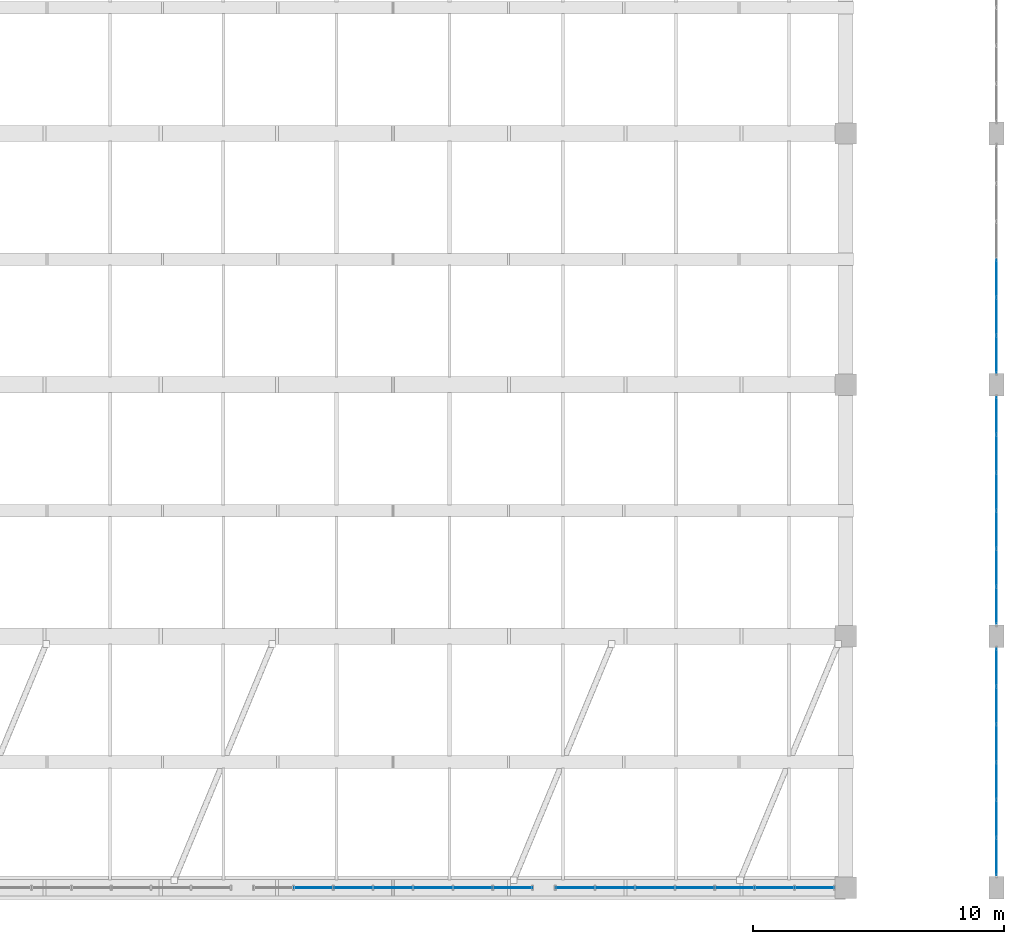
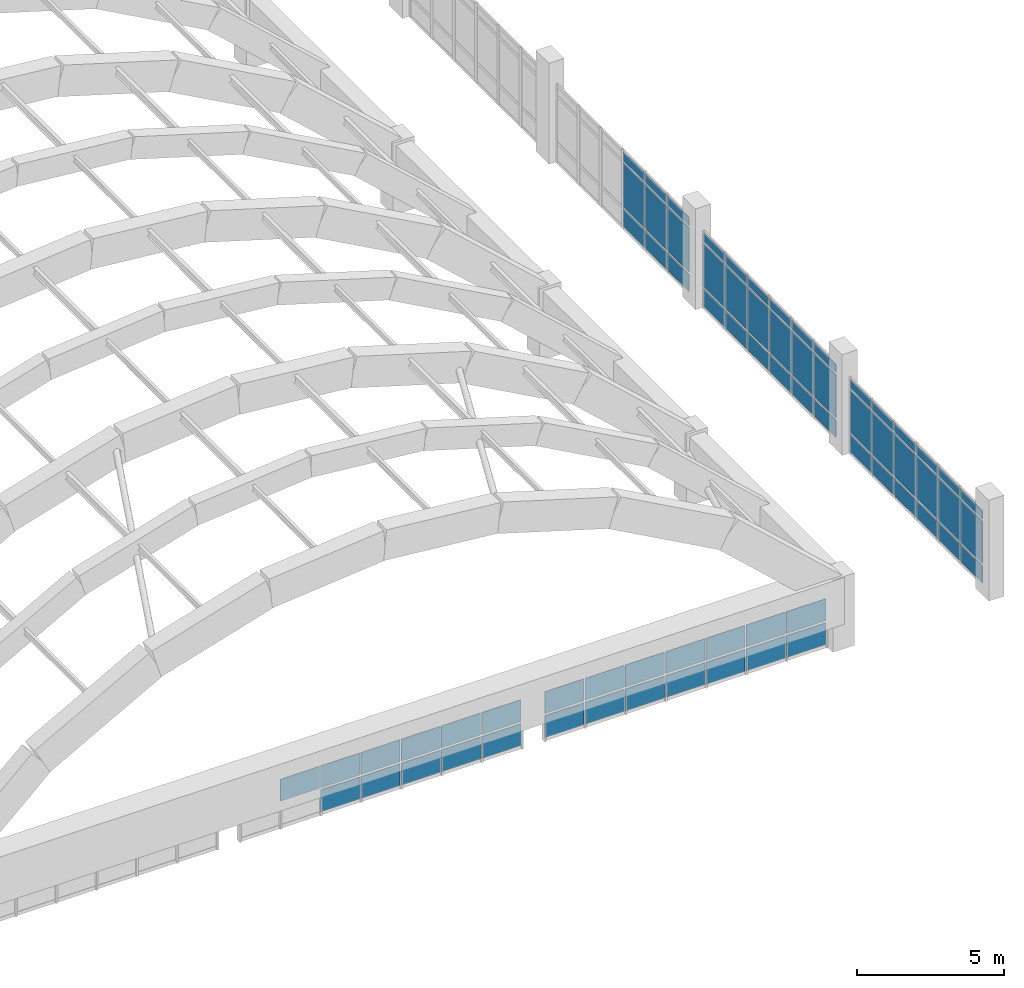
# One storey, part 98 of 111: 70 plates, 5 elements without a shape of their own.
"""IFC4 building model written with IfcOpenShell, lengths in metres."""

from ifc_helpers import new_model, si_unit, direction, frame, origin, origin_2d, place, context, subcontext, project, spatial, rectangle, extrude, material, layer, layer_set, type_object, element, aggregate, save


model = new_model("IFC4")

# Units and contexts
model_context = context("Model", 3, precision=1e-05, world=origin(), true_north=direction((0.0, 1.0)))
body_context = subcontext(model_context, "Body", "Model", "MODEL_VIEW")
ifc_project = project(units=[si_unit("LENGTHUNIT", "METRE"), si_unit("AREAUNIT", "SQUARE_METRE"), si_unit("VOLUMEUNIT", "CUBIC_METRE"), si_unit("PLANEANGLEUNIT", "RADIAN"), si_unit("MASSUNIT", "GRAM", prefix="KILO")], contexts=[model_context])

# Site, building, storey
site_placement = place(None, origin())
site = spatial("IfcSite", under=ifc_project, at=site_placement, CompositionType="ELEMENT")
building_placement = place(site_placement, origin())
building = spatial("IfcBuilding", under=site, at=building_placement, Name="Mersad Railyard Sports Hall", CompositionType="ELEMENT")
storey_placement = place(building_placement, frame((0.0, 0.0, 9.0)))
storey = spatial("IfcBuildingStorey", under=building, at=storey_placement, Name="L02", CompositionType="ELEMENT", Elevation=9.0)

# Curtain wall, plates
ifc_material_1 = material(Name="Aluminium 6063-T6", Category="aluminium")
ifc_layer_1 = layer(ifc_material_1, 0.199951171875)
ifc_layer_set_1 = layer_set([ifc_layer_1], Name="Aluminium 6063-T6")
curtain_wall_type_1 = type_object("IfcCurtainWallType", Name="ARC-CW-CW13", PredefinedType="USERDEFINED", material=ifc_layer_set_1)
curtain_wall_1_placement = place(storey_placement, origin())
curtain_wall_1 = element("IfcCurtainWall", 1, at=curtain_wall_1_placement, inside=storey, type_object=curtain_wall_type_1, Name="Curtain wall CW13-0040", ObjectType="CURTAIN WALL", PredefinedType="USERDEFINED")
ifc_material_2 = material(Name="Solar-control glass", Category="glass")
ifc_layer_2 = layer(ifc_material_2, 0.028076171875)
ifc_layer_set_2 = layer_set([ifc_layer_2], Name="Solar-control glass")
plate_type = type_object("IfcPlateType", Name="ARC-CW-PNL01", PredefinedType="CURTAIN_PANEL", material=ifc_layer_set_2)
plate_1_placement = place(storey_placement, frame((159.757080078125, 3.5, 0.0849609375), z_axis=(0.0, 0.0, 1.0), x_axis=(-1.0, 0.0, 0.0)))
plate_1 = element("IfcPlate", 2, at=plate_1_placement, type_object=plate_type, Name="CW13 Glazed panel 1-1", PredefinedType="CURTAIN_PANEL", context=body_context, shape_type="SweptSolid", body=[
    extrude(rectangle(XDim=1.541748046875, YDim=0.028076171875, at=origin_2d()), origin(), (0.0, 0.0, 1.0), 0.909912109375),
])
plate_2_placement = place(storey_placement, frame((159.757080078125, 3.5, 1.0849609375), z_axis=(0.0, 0.0, 1.0), x_axis=(-1.0, 0.0, 0.0)))
plate_2 = element("IfcPlate", 3, at=plate_2_placement, type_object=plate_type, Name="CW13 Glazed panel 1-2", PredefinedType="CURTAIN_PANEL", context=body_context, shape_type="SweptSolid", body=[
    extrude(rectangle(XDim=1.541748046875, YDim=0.028076171875, at=origin_2d()), origin(), (0.0, 0.0, 1.0), 0.909912109375),
])
plate_3_placement = place(storey_placement, frame((158.17138671875, 3.5, 0.0849609375), z_axis=(0.0, 0.0, 1.0), x_axis=(-1.0, 0.0, 0.0)))
plate_3 = element("IfcPlate", 4, at=plate_3_placement, type_object=plate_type, Name="CW13 Glazed panel 2-1", PredefinedType="CURTAIN_PANEL", context=body_context, shape_type="SweptSolid", body=[
    extrude(rectangle(XDim=1.541748046875, YDim=0.028076171875, at=origin_2d()), origin(), (0.0, 0.0, 1.0), 0.909912109375),
])
plate_4_placement = place(storey_placement, frame((158.17138671875, 3.5, 1.0849609375), z_axis=(0.0, 0.0, 1.0), x_axis=(-1.0, 0.0, 0.0)))
plate_4 = element("IfcPlate", 5, at=plate_4_placement, type_object=plate_type, Name="CW13 Glazed panel 2-2", PredefinedType="CURTAIN_PANEL", context=body_context, shape_type="SweptSolid", body=[
    extrude(rectangle(XDim=1.541748046875, YDim=0.028076171875, at=origin_2d()), origin(), (0.0, 0.0, 1.0), 0.909912109375),
])
plate_5_placement = place(storey_placement, frame((156.585693359375, 3.5, 0.0849609375), z_axis=(0.0, 0.0, 1.0), x_axis=(-1.0, 0.0, 0.0)))
plate_5 = element("IfcPlate", 6, at=plate_5_placement, type_object=plate_type, Name="CW13 Glazed panel 3-1", PredefinedType="CURTAIN_PANEL", context=body_context, shape_type="SweptSolid", body=[
    extrude(rectangle(XDim=1.541748046875, YDim=0.028076171875, at=origin_2d()), origin(), (0.0, 0.0, 1.0), 0.909912109375),
])
plate_6_placement = place(storey_placement, frame((156.585693359375, 3.5, 1.0849609375), z_axis=(0.0, 0.0, 1.0), x_axis=(-1.0, 0.0, 0.0)))
plate_6 = element("IfcPlate", 7, at=plate_6_placement, type_object=plate_type, Name="CW13 Glazed panel 3-2", PredefinedType="CURTAIN_PANEL", context=body_context, shape_type="SweptSolid", body=[
    extrude(rectangle(XDim=1.541748046875, YDim=0.028076171875, at=origin_2d()), origin(), (0.0, 0.0, 1.0), 0.909912109375),
])
plate_7_placement = place(storey_placement, frame((155.0, 3.5, 0.0849609375), z_axis=(0.0, 0.0, 1.0), x_axis=(-1.0, 0.0, 0.0)))
plate_7 = element("IfcPlate", 8, at=plate_7_placement, type_object=plate_type, Name="CW13 Glazed panel 4-1", PredefinedType="CURTAIN_PANEL", context=body_context, shape_type="SweptSolid", body=[
    extrude(rectangle(XDim=1.541748046875, YDim=0.028076171875, at=origin_2d()), origin(), (0.0, 0.0, 1.0), 0.909912109375),
])
plate_8_placement = place(storey_placement, frame((155.0, 3.5, 1.0849609375), z_axis=(0.0, 0.0, 1.0), x_axis=(-1.0, 0.0, 0.0)))
plate_8 = element("IfcPlate", 9, at=plate_8_placement, type_object=plate_type, Name="CW13 Glazed panel 4-2", PredefinedType="CURTAIN_PANEL", context=body_context, shape_type="SweptSolid", body=[
    extrude(rectangle(XDim=1.541748046875, YDim=0.028076171875, at=origin_2d()), origin(), (0.0, 0.0, 1.0), 0.909912109375),
])
plate_9_placement = place(storey_placement, frame((153.414306640625, 3.5, 0.0849609375), z_axis=(0.0, 0.0, 1.0), x_axis=(-1.0, 0.0, 0.0)))
plate_9 = element("IfcPlate", 10, at=plate_9_placement, type_object=plate_type, Name="CW13 Glazed panel 5-1", PredefinedType="CURTAIN_PANEL", context=body_context, shape_type="SweptSolid", body=[
    extrude(rectangle(XDim=1.541748046875, YDim=0.028076171875, at=origin_2d()), origin(), (0.0, 0.0, 1.0), 0.909912109375),
])
plate_10_placement = place(storey_placement, frame((153.414306640625, 3.5, 1.0849609375), z_axis=(0.0, 0.0, 1.0), x_axis=(-1.0, 0.0, 0.0)))
plate_10 = element("IfcPlate", 11, at=plate_10_placement, type_object=plate_type, Name="CW13 Glazed panel 5-2", PredefinedType="CURTAIN_PANEL", context=body_context, shape_type="SweptSolid", body=[
    extrude(rectangle(XDim=1.541748046875, YDim=0.028076171875, at=origin_2d()), origin(), (0.0, 0.0, 1.0), 0.909912109375),
])
plate_11_placement = place(storey_placement, frame((151.82861328125, 3.5, 1.0849609375), z_axis=(0.0, 0.0, 1.0), x_axis=(-1.0, 0.0, 0.0)))
plate_11 = element("IfcPlate", 12, at=plate_11_placement, type_object=plate_type, Name="CW13 Glazed panel 6-2", PredefinedType="CURTAIN_PANEL", context=body_context, shape_type="SweptSolid", body=[
    extrude(rectangle(XDim=1.541748046875, YDim=0.028076171875, at=origin_2d()), origin(), (0.0, 0.0, 1.0), 0.909912109375),
])
aggregate(curtain_wall_1, [plate_1, plate_2, plate_3, plate_4, plate_5, plate_6, plate_7, plate_8, plate_9, plate_10, plate_11])

ifc_layer_3 = layer(ifc_material_1, 0.199951171875)
ifc_layer_set_3 = layer_set([ifc_layer_3], Name="Aluminium 6063-T6")
curtain_wall_type_2 = type_object("IfcCurtainWallType", Name="ARC-CW-CW11", PredefinedType="USERDEFINED", material=ifc_layer_set_3)
curtain_wall_2_placement = place(storey_placement, origin())
curtain_wall_2 = element("IfcCurtainWall", 13, at=curtain_wall_2_placement, inside=storey, type_object=curtain_wall_type_2, Name="Curtain wall CW11-0042", ObjectType="CURTAIN WALL", PredefinedType="USERDEFINED")
plate_12_placement = place(storey_placement, frame((171.76171875, 3.5, 0.0849609375), z_axis=(0.0, 0.0, 1.0), x_axis=(-1.0, 0.0, 0.0)))
plate_12 = element("IfcPlate", 14, at=plate_12_placement, type_object=plate_type, Name="CW11 Glazed panel 1-1", PredefinedType="CURTAIN_PANEL", context=body_context, shape_type="SweptSolid", body=[
    extrude(rectangle(XDim=1.54248046875, YDim=0.028076171875, at=origin_2d()), origin(), (0.0, 0.0, 1.0), 0.909912109375),
])
plate_13_placement = place(storey_placement, frame((171.76171875, 3.5, 1.0849609375), z_axis=(0.0, 0.0, 1.0), x_axis=(-1.0, 0.0, 0.0)))
plate_13 = element("IfcPlate", 15, at=plate_13_placement, type_object=plate_type, Name="CW11 Glazed panel 1-2", PredefinedType="CURTAIN_PANEL", context=body_context, shape_type="SweptSolid", body=[
    extrude(rectangle(XDim=1.54248046875, YDim=0.028076171875, at=origin_2d()), origin(), (0.0, 0.0, 1.0), 0.909912109375),
])
plate_14_placement = place(storey_placement, frame((170.17529296875, 3.5, 0.0849609375), z_axis=(0.0, 0.0, 1.0), x_axis=(-1.0, 0.0, 0.0)))
plate_14 = element("IfcPlate", 16, at=plate_14_placement, type_object=plate_type, Name="CW11 Glazed panel 2-1", PredefinedType="CURTAIN_PANEL", context=body_context, shape_type="SweptSolid", body=[
    extrude(rectangle(XDim=1.54248046875, YDim=0.028076171875, at=origin_2d()), origin(), (0.0, 0.0, 1.0), 0.909912109375),
])
plate_15_placement = place(storey_placement, frame((170.17529296875, 3.5, 1.0849609375), z_axis=(0.0, 0.0, 1.0), x_axis=(-1.0, 0.0, 0.0)))
plate_15 = element("IfcPlate", 17, at=plate_15_placement, type_object=plate_type, Name="CW11 Glazed panel 2-2", PredefinedType="CURTAIN_PANEL", context=body_context, shape_type="SweptSolid", body=[
    extrude(rectangle(XDim=1.54248046875, YDim=0.028076171875, at=origin_2d()), origin(), (0.0, 0.0, 1.0), 0.909912109375),
])
plate_16_placement = place(storey_placement, frame((168.5888671875, 3.5, 0.0849609375), z_axis=(0.0, 0.0, 1.0), x_axis=(-1.0, 0.0, 0.0)))
plate_16 = element("IfcPlate", 18, at=plate_16_placement, type_object=plate_type, Name="CW11 Glazed panel 3-1", PredefinedType="CURTAIN_PANEL", context=body_context, shape_type="SweptSolid", body=[
    extrude(rectangle(XDim=1.54248046875, YDim=0.028076171875, at=origin_2d()), origin(), (0.0, 0.0, 1.0), 0.909912109375),
])
plate_17_placement = place(storey_placement, frame((168.5888671875, 3.5, 1.0849609375), z_axis=(0.0, 0.0, 1.0), x_axis=(-1.0, 0.0, 0.0)))
plate_17 = element("IfcPlate", 19, at=plate_17_placement, type_object=plate_type, Name="CW11 Glazed panel 3-2", PredefinedType="CURTAIN_PANEL", context=body_context, shape_type="SweptSolid", body=[
    extrude(rectangle(XDim=1.54248046875, YDim=0.028076171875, at=origin_2d()), origin(), (0.0, 0.0, 1.0), 0.909912109375),
])
plate_18_placement = place(storey_placement, frame((167.00244140625, 3.5, 0.0849609375), z_axis=(0.0, 0.0, 1.0), x_axis=(-1.0, 0.0, 0.0)))
plate_18 = element("IfcPlate", 20, at=plate_18_placement, type_object=plate_type, Name="CW11 Glazed panel 4-1", PredefinedType="CURTAIN_PANEL", context=body_context, shape_type="SweptSolid", body=[
    extrude(rectangle(XDim=1.54248046875, YDim=0.028076171875, at=origin_2d()), origin(), (0.0, 0.0, 1.0), 0.909912109375),
])
plate_19_placement = place(storey_placement, frame((167.00244140625, 3.5, 1.0849609375), z_axis=(0.0, 0.0, 1.0), x_axis=(-1.0, 0.0, 0.0)))
plate_19 = element("IfcPlate", 21, at=plate_19_placement, type_object=plate_type, Name="CW11 Glazed panel 4-2", PredefinedType="CURTAIN_PANEL", context=body_context, shape_type="SweptSolid", body=[
    extrude(rectangle(XDim=1.54248046875, YDim=0.028076171875, at=origin_2d()), origin(), (0.0, 0.0, 1.0), 0.909912109375),
])
plate_20_placement = place(storey_placement, frame((165.416015625, 3.5, 0.0849609375), z_axis=(0.0, 0.0, 1.0), x_axis=(-1.0, 0.0, 0.0)))
plate_20 = element("IfcPlate", 22, at=plate_20_placement, type_object=plate_type, Name="CW11 Glazed panel 5-1", PredefinedType="CURTAIN_PANEL", context=body_context, shape_type="SweptSolid", body=[
    extrude(rectangle(XDim=1.54248046875, YDim=0.028076171875, at=origin_2d()), origin(), (0.0, 0.0, 1.0), 0.909912109375),
])
plate_21_placement = place(storey_placement, frame((165.416015625, 3.5, 1.0849609375), z_axis=(0.0, 0.0, 1.0), x_axis=(-1.0, 0.0, 0.0)))
plate_21 = element("IfcPlate", 23, at=plate_21_placement, type_object=plate_type, Name="CW11 Glazed panel 5-2", PredefinedType="CURTAIN_PANEL", context=body_context, shape_type="SweptSolid", body=[
    extrude(rectangle(XDim=1.54248046875, YDim=0.028076171875, at=origin_2d()), origin(), (0.0, 0.0, 1.0), 0.909912109375),
])
plate_22_placement = place(storey_placement, frame((163.82958984375, 3.5, 0.0849609375), z_axis=(0.0, 0.0, 1.0), x_axis=(-1.0, 0.0, 0.0)))
plate_22 = element("IfcPlate", 24, at=plate_22_placement, type_object=plate_type, Name="CW11 Glazed panel 6-1", PredefinedType="CURTAIN_PANEL", context=body_context, shape_type="SweptSolid", body=[
    extrude(rectangle(XDim=1.54248046875, YDim=0.028076171875, at=origin_2d()), origin(), (0.0, 0.0, 1.0), 0.909912109375),
])
plate_23_placement = place(storey_placement, frame((163.82958984375, 3.5, 1.0849609375), z_axis=(0.0, 0.0, 1.0), x_axis=(-1.0, 0.0, 0.0)))
plate_23 = element("IfcPlate", 25, at=plate_23_placement, type_object=plate_type, Name="CW11 Glazed panel 6-2", PredefinedType="CURTAIN_PANEL", context=body_context, shape_type="SweptSolid", body=[
    extrude(rectangle(XDim=1.54248046875, YDim=0.028076171875, at=origin_2d()), origin(), (0.0, 0.0, 1.0), 0.909912109375),
])
plate_24_placement = place(storey_placement, frame((162.2431640625, 3.5, 0.0849609375), z_axis=(0.0, 0.0, 1.0), x_axis=(-1.0, 0.0, 0.0)))
plate_24 = element("IfcPlate", 26, at=plate_24_placement, type_object=plate_type, Name="CW11 Glazed panel 7-1", PredefinedType="CURTAIN_PANEL", context=body_context, shape_type="SweptSolid", body=[
    extrude(rectangle(XDim=1.54248046875, YDim=0.028076171875, at=origin_2d()), origin(), (0.0, 0.0, 1.0), 0.909912109375),
])
plate_25_placement = place(storey_placement, frame((162.2431640625, 3.5, 1.0849609375), z_axis=(0.0, 0.0, 1.0), x_axis=(-1.0, 0.0, 0.0)))
plate_25 = element("IfcPlate", 27, at=plate_25_placement, type_object=plate_type, Name="CW11 Glazed panel 7-2", PredefinedType="CURTAIN_PANEL", context=body_context, shape_type="SweptSolid", body=[
    extrude(rectangle(XDim=1.54248046875, YDim=0.028076171875, at=origin_2d()), origin(), (0.0, 0.0, 1.0), 0.909912109375),
])
aggregate(curtain_wall_2, [plate_12, plate_13, plate_14, plate_15, plate_16, plate_17, plate_18, plate_19, plate_20, plate_21, plate_22, plate_23, plate_24, plate_25])

ifc_layer_4 = layer(ifc_material_1, 0.159912109375)
ifc_layer_set_4 = layer_set([ifc_layer_4], Name="Aluminium 6063-T6")
curtain_wall_type_3 = type_object("IfcCurtainWallType", Name="ARC-CW-CW15", PredefinedType="USERDEFINED", material=ifc_layer_set_4)
curtain_wall_3_placement = place(storey_placement, origin())
curtain_wall_3 = element("IfcCurtainWall", 28, at=curtain_wall_3_placement, inside=storey, type_object=curtain_wall_type_3, Name="Curtain wall CW15-0045", ObjectType="CURTAIN WALL", PredefinedType="USERDEFINED")
plate_26_placement = place(storey_placement, frame((179.0, 12.27490234375, 0.0849609375), z_axis=(0.0, 0.0, 1.0), x_axis=(0.0, -1.0, 0.0)))
plate_26 = element("IfcPlate", 29, at=plate_26_placement, type_object=plate_type, Name="CW15 Glazed panel 1-1", PredefinedType="CURTAIN_PANEL", context=body_context, shape_type="SweptSolid", body=[
    extrude(rectangle(XDim=1.466064453125, YDim=0.028076171875, at=origin_2d()), origin(), (0.0, 0.0, 1.0), 0.719970703125),
])
plate_27_placement = place(storey_placement, frame((179.0, 12.27490234375, 0.89501953125), z_axis=(0.0, 0.0, 1.0), x_axis=(0.0, -1.0, 0.0)))
plate_27 = element("IfcPlate", 30, at=plate_27_placement, type_object=plate_type, Name="CW15 Glazed panel 1-2", PredefinedType="CURTAIN_PANEL", context=body_context, shape_type="SweptSolid", body=[
    extrude(rectangle(XDim=1.466064453125, YDim=0.028076171875, at=origin_2d()), origin(), (0.0, 0.0, 1.0), 1.760009765625),
])
plate_28_placement = place(storey_placement, frame((179.0, 12.27490234375, 2.744873046875), z_axis=(0.0, 0.0, 1.0), x_axis=(0.0, -1.0, 0.0)))
plate_28 = element("IfcPlate", 31, at=plate_28_placement, type_object=plate_type, Name="CW15 Glazed panel 1-3", PredefinedType="CURTAIN_PANEL", context=body_context, shape_type="SweptSolid", body=[
    extrude(rectangle(XDim=1.466064453125, YDim=0.028076171875, at=origin_2d()), origin(), (0.0, 0.0, 1.0), 0.35009765625),
])
plate_29_placement = place(storey_placement, frame((179.0, 10.764892578125, 0.0849609375), z_axis=(0.0, 0.0, 1.0), x_axis=(0.0, -1.0, 0.0)))
plate_29 = element("IfcPlate", 32, at=plate_29_placement, type_object=plate_type, Name="CW15 Glazed panel 2-1", PredefinedType="CURTAIN_PANEL", context=body_context, shape_type="SweptSolid", body=[
    extrude(rectangle(XDim=1.466064453125, YDim=0.028076171875, at=origin_2d()), origin(), (0.0, 0.0, 1.0), 0.719970703125),
])
plate_30_placement = place(storey_placement, frame((179.0, 10.764892578125, 0.89501953125), z_axis=(0.0, 0.0, 1.0), x_axis=(0.0, -1.0, 0.0)))
plate_30 = element("IfcPlate", 33, at=plate_30_placement, type_object=plate_type, Name="CW15 Glazed panel 2-2", PredefinedType="CURTAIN_PANEL", context=body_context, shape_type="SweptSolid", body=[
    extrude(rectangle(XDim=1.466064453125, YDim=0.028076171875, at=origin_2d()), origin(), (0.0, 0.0, 1.0), 1.760009765625),
])
plate_31_placement = place(storey_placement, frame((179.0, 10.764892578125, 2.744873046875), z_axis=(0.0, 0.0, 1.0), x_axis=(0.0, -1.0, 0.0)))
plate_31 = element("IfcPlate", 34, at=plate_31_placement, type_object=plate_type, Name="CW15 Glazed panel 2-3", PredefinedType="CURTAIN_PANEL", context=body_context, shape_type="SweptSolid", body=[
    extrude(rectangle(XDim=1.466064453125, YDim=0.028076171875, at=origin_2d()), origin(), (0.0, 0.0, 1.0), 0.35009765625),
])
plate_32_placement = place(storey_placement, frame((179.0, 9.2548828125, 0.0849609375), z_axis=(0.0, 0.0, 1.0), x_axis=(0.0, -1.0, 0.0)))
plate_32 = element("IfcPlate", 35, at=plate_32_placement, type_object=plate_type, Name="CW15 Glazed panel 3-1", PredefinedType="CURTAIN_PANEL", context=body_context, shape_type="SweptSolid", body=[
    extrude(rectangle(XDim=1.466064453125, YDim=0.028076171875, at=origin_2d()), origin(), (0.0, 0.0, 1.0), 0.719970703125),
])
plate_33_placement = place(storey_placement, frame((179.0, 9.2548828125, 0.89501953125), z_axis=(0.0, 0.0, 1.0), x_axis=(0.0, -1.0, 0.0)))
plate_33 = element("IfcPlate", 36, at=plate_33_placement, type_object=plate_type, Name="CW15 Glazed panel 3-2", PredefinedType="CURTAIN_PANEL", context=body_context, shape_type="SweptSolid", body=[
    extrude(rectangle(XDim=1.466064453125, YDim=0.028076171875, at=origin_2d()), origin(), (0.0, 0.0, 1.0), 1.760009765625),
])
plate_34_placement = place(storey_placement, frame((179.0, 9.2548828125, 2.744873046875), z_axis=(0.0, 0.0, 1.0), x_axis=(0.0, -1.0, 0.0)))
plate_34 = element("IfcPlate", 37, at=plate_34_placement, type_object=plate_type, Name="CW15 Glazed panel 3-3", PredefinedType="CURTAIN_PANEL", context=body_context, shape_type="SweptSolid", body=[
    extrude(rectangle(XDim=1.466064453125, YDim=0.028076171875, at=origin_2d()), origin(), (0.0, 0.0, 1.0), 0.35009765625),
])
plate_35_placement = place(storey_placement, frame((179.0, 7.7451171875, 0.0849609375), z_axis=(0.0, 0.0, 1.0), x_axis=(0.0, -1.0, 0.0)))
plate_35 = element("IfcPlate", 38, at=plate_35_placement, type_object=plate_type, Name="CW15 Glazed panel 4-1", PredefinedType="CURTAIN_PANEL", context=body_context, shape_type="SweptSolid", body=[
    extrude(rectangle(XDim=1.466064453125, YDim=0.028076171875, at=origin_2d()), origin(), (0.0, 0.0, 1.0), 0.719970703125),
])
plate_36_placement = place(storey_placement, frame((179.0, 7.7451171875, 0.89501953125), z_axis=(0.0, 0.0, 1.0), x_axis=(0.0, -1.0, 0.0)))
plate_36 = element("IfcPlate", 39, at=plate_36_placement, type_object=plate_type, Name="CW15 Glazed panel 4-2", PredefinedType="CURTAIN_PANEL", context=body_context, shape_type="SweptSolid", body=[
    extrude(rectangle(XDim=1.466064453125, YDim=0.028076171875, at=origin_2d()), origin(), (0.0, 0.0, 1.0), 1.760009765625),
])
plate_37_placement = place(storey_placement, frame((179.0, 7.7451171875, 2.744873046875), z_axis=(0.0, 0.0, 1.0), x_axis=(0.0, -1.0, 0.0)))
plate_37 = element("IfcPlate", 40, at=plate_37_placement, type_object=plate_type, Name="CW15 Glazed panel 4-3", PredefinedType="CURTAIN_PANEL", context=body_context, shape_type="SweptSolid", body=[
    extrude(rectangle(XDim=1.466064453125, YDim=0.028076171875, at=origin_2d()), origin(), (0.0, 0.0, 1.0), 0.35009765625),
])
plate_38_placement = place(storey_placement, frame((179.0, 6.235107421875, 0.0849609375), z_axis=(0.0, 0.0, 1.0), x_axis=(0.0, -1.0, 0.0)))
plate_38 = element("IfcPlate", 41, at=plate_38_placement, type_object=plate_type, Name="CW15 Glazed panel 5-1", PredefinedType="CURTAIN_PANEL", context=body_context, shape_type="SweptSolid", body=[
    extrude(rectangle(XDim=1.466064453125, YDim=0.028076171875, at=origin_2d()), origin(), (0.0, 0.0, 1.0), 0.719970703125),
])
plate_39_placement = place(storey_placement, frame((179.0, 6.235107421875, 0.89501953125), z_axis=(0.0, 0.0, 1.0), x_axis=(0.0, -1.0, 0.0)))
plate_39 = element("IfcPlate", 42, at=plate_39_placement, type_object=plate_type, Name="CW15 Glazed panel 5-2", PredefinedType="CURTAIN_PANEL", context=body_context, shape_type="SweptSolid", body=[
    extrude(rectangle(XDim=1.466064453125, YDim=0.028076171875, at=origin_2d()), origin(), (0.0, 0.0, 1.0), 1.760009765625),
])
plate_40_placement = place(storey_placement, frame((179.0, 6.235107421875, 2.744873046875), z_axis=(0.0, 0.0, 1.0), x_axis=(0.0, -1.0, 0.0)))
plate_40 = element("IfcPlate", 43, at=plate_40_placement, type_object=plate_type, Name="CW15 Glazed panel 5-3", PredefinedType="CURTAIN_PANEL", context=body_context, shape_type="SweptSolid", body=[
    extrude(rectangle(XDim=1.466064453125, YDim=0.028076171875, at=origin_2d()), origin(), (0.0, 0.0, 1.0), 0.35009765625),
])
plate_41_placement = place(storey_placement, frame((179.0, 4.72509765625, 0.0849609375), z_axis=(0.0, 0.0, 1.0), x_axis=(0.0, -1.0, 0.0)))
plate_41 = element("IfcPlate", 44, at=plate_41_placement, type_object=plate_type, Name="CW15 Glazed panel 6-1", PredefinedType="CURTAIN_PANEL", context=body_context, shape_type="SweptSolid", body=[
    extrude(rectangle(XDim=1.466064453125, YDim=0.028076171875, at=origin_2d()), origin(), (0.0, 0.0, 1.0), 0.719970703125),
])
plate_42_placement = place(storey_placement, frame((179.0, 4.72509765625, 0.89501953125), z_axis=(0.0, 0.0, 1.0), x_axis=(0.0, -1.0, 0.0)))
plate_42 = element("IfcPlate", 45, at=plate_42_placement, type_object=plate_type, Name="CW15 Glazed panel 6-2", PredefinedType="CURTAIN_PANEL", context=body_context, shape_type="SweptSolid", body=[
    extrude(rectangle(XDim=1.466064453125, YDim=0.028076171875, at=origin_2d()), origin(), (0.0, 0.0, 1.0), 1.760009765625),
])
plate_43_placement = place(storey_placement, frame((179.0, 4.72509765625, 2.744873046875), z_axis=(0.0, 0.0, 1.0), x_axis=(0.0, -1.0, 0.0)))
plate_43 = element("IfcPlate", 46, at=plate_43_placement, type_object=plate_type, Name="CW15 Glazed panel 6-3", PredefinedType="CURTAIN_PANEL", context=body_context, shape_type="SweptSolid", body=[
    extrude(rectangle(XDim=1.466064453125, YDim=0.028076171875, at=origin_2d()), origin(), (0.0, 0.0, 1.0), 0.35009765625),
])
aggregate(curtain_wall_3, [plate_26, plate_27, plate_28, plate_29, plate_30, plate_31, plate_32, plate_33, plate_34, plate_35, plate_36, plate_37, plate_38, plate_39, plate_40, plate_41, plate_42, plate_43])

ifc_layer_5 = layer(ifc_material_1, 0.159912109375)
ifc_layer_set_5 = layer_set([ifc_layer_5], Name="Aluminium 6063-T6")
curtain_wall_type_4 = type_object("IfcCurtainWallType", Name="ARC-CW-CW16", PredefinedType="USERDEFINED", material=ifc_layer_set_5)
curtain_wall_4_placement = place(storey_placement, origin())
curtain_wall_4 = element("IfcCurtainWall", 47, at=curtain_wall_4_placement, inside=storey, type_object=curtain_wall_type_4, Name="Curtain wall CW16-0047", ObjectType="CURTAIN WALL", PredefinedType="USERDEFINED")
plate_44_placement = place(storey_placement, frame((179.0, 22.27490234375, 0.0849609375), z_axis=(0.0, 0.0, 1.0), x_axis=(0.0, -1.0, 0.0)))
plate_44 = element("IfcPlate", 48, at=plate_44_placement, type_object=plate_type, Name="CW16 Glazed panel 1-1", PredefinedType="CURTAIN_PANEL", context=body_context, shape_type="SweptSolid", body=[
    extrude(rectangle(XDim=1.466064453125, YDim=0.028076171875, at=origin_2d()), origin(), (0.0, 0.0, 1.0), 0.719970703125),
])
plate_45_placement = place(storey_placement, frame((179.0, 22.27490234375, 0.89501953125), z_axis=(0.0, 0.0, 1.0), x_axis=(0.0, -1.0, 0.0)))
plate_45 = element("IfcPlate", 49, at=plate_45_placement, type_object=plate_type, Name="CW16 Glazed panel 1-2", PredefinedType="CURTAIN_PANEL", context=body_context, shape_type="SweptSolid", body=[
    extrude(rectangle(XDim=1.466064453125, YDim=0.028076171875, at=origin_2d()), origin(), (0.0, 0.0, 1.0), 1.800048828125),
])
plate_46_placement = place(storey_placement, frame((179.0, 22.27490234375, 2.784912109375), z_axis=(0.0, 0.0, 1.0), x_axis=(0.0, -1.0, 0.0)))
plate_46 = element("IfcPlate", 50, at=plate_46_placement, type_object=plate_type, Name="CW16 Glazed panel 1-3", PredefinedType="CURTAIN_PANEL", context=body_context, shape_type="SweptSolid", body=[
    extrude(rectangle(XDim=1.466064453125, YDim=0.028076171875, at=origin_2d()), origin(), (0.0, 0.0, 1.0), 0.35009765625),
])
plate_47_placement = place(storey_placement, frame((179.0, 20.764892578125, 0.0849609375), z_axis=(0.0, 0.0, 1.0), x_axis=(0.0, -1.0, 0.0)))
plate_47 = element("IfcPlate", 51, at=plate_47_placement, type_object=plate_type, Name="CW16 Glazed panel 2-1", PredefinedType="CURTAIN_PANEL", context=body_context, shape_type="SweptSolid", body=[
    extrude(rectangle(XDim=1.466064453125, YDim=0.028076171875, at=origin_2d()), origin(), (0.0, 0.0, 1.0), 0.719970703125),
])
plate_48_placement = place(storey_placement, frame((179.0, 20.764892578125, 0.89501953125), z_axis=(0.0, 0.0, 1.0), x_axis=(0.0, -1.0, 0.0)))
plate_48 = element("IfcPlate", 52, at=plate_48_placement, type_object=plate_type, Name="CW16 Glazed panel 2-2", PredefinedType="CURTAIN_PANEL", context=body_context, shape_type="SweptSolid", body=[
    extrude(rectangle(XDim=1.466064453125, YDim=0.028076171875, at=origin_2d()), origin(), (0.0, 0.0, 1.0), 1.800048828125),
])
plate_49_placement = place(storey_placement, frame((179.0, 20.764892578125, 2.784912109375), z_axis=(0.0, 0.0, 1.0), x_axis=(0.0, -1.0, 0.0)))
plate_49 = element("IfcPlate", 53, at=plate_49_placement, type_object=plate_type, Name="CW16 Glazed panel 2-3", PredefinedType="CURTAIN_PANEL", context=body_context, shape_type="SweptSolid", body=[
    extrude(rectangle(XDim=1.466064453125, YDim=0.028076171875, at=origin_2d()), origin(), (0.0, 0.0, 1.0), 0.35009765625),
])
plate_50_placement = place(storey_placement, frame((179.0, 19.2548828125, 0.0849609375), z_axis=(0.0, 0.0, 1.0), x_axis=(0.0, -1.0, 0.0)))
plate_50 = element("IfcPlate", 54, at=plate_50_placement, type_object=plate_type, Name="CW16 Glazed panel 3-1", PredefinedType="CURTAIN_PANEL", context=body_context, shape_type="SweptSolid", body=[
    extrude(rectangle(XDim=1.466064453125, YDim=0.028076171875, at=origin_2d()), origin(), (0.0, 0.0, 1.0), 0.719970703125),
])
plate_51_placement = place(storey_placement, frame((179.0, 19.2548828125, 0.89501953125), z_axis=(0.0, 0.0, 1.0), x_axis=(0.0, -1.0, 0.0)))
plate_51 = element("IfcPlate", 55, at=plate_51_placement, type_object=plate_type, Name="CW16 Glazed panel 3-2", PredefinedType="CURTAIN_PANEL", context=body_context, shape_type="SweptSolid", body=[
    extrude(rectangle(XDim=1.466064453125, YDim=0.028076171875, at=origin_2d()), origin(), (0.0, 0.0, 1.0), 1.800048828125),
])
plate_52_placement = place(storey_placement, frame((179.0, 19.2548828125, 2.784912109375), z_axis=(0.0, 0.0, 1.0), x_axis=(0.0, -1.0, 0.0)))
plate_52 = element("IfcPlate", 56, at=plate_52_placement, type_object=plate_type, Name="CW16 Glazed panel 3-3", PredefinedType="CURTAIN_PANEL", context=body_context, shape_type="SweptSolid", body=[
    extrude(rectangle(XDim=1.466064453125, YDim=0.028076171875, at=origin_2d()), origin(), (0.0, 0.0, 1.0), 0.35009765625),
])
plate_53_placement = place(storey_placement, frame((179.0, 17.7451171875, 0.0849609375), z_axis=(0.0, 0.0, 1.0), x_axis=(0.0, -1.0, 0.0)))
plate_53 = element("IfcPlate", 57, at=plate_53_placement, type_object=plate_type, Name="CW16 Glazed panel 4-1", PredefinedType="CURTAIN_PANEL", context=body_context, shape_type="SweptSolid", body=[
    extrude(rectangle(XDim=1.466064453125, YDim=0.028076171875, at=origin_2d()), origin(), (0.0, 0.0, 1.0), 0.719970703125),
])
plate_54_placement = place(storey_placement, frame((179.0, 17.7451171875, 0.89501953125), z_axis=(0.0, 0.0, 1.0), x_axis=(0.0, -1.0, 0.0)))
plate_54 = element("IfcPlate", 58, at=plate_54_placement, type_object=plate_type, Name="CW16 Glazed panel 4-2", PredefinedType="CURTAIN_PANEL", context=body_context, shape_type="SweptSolid", body=[
    extrude(rectangle(XDim=1.466064453125, YDim=0.028076171875, at=origin_2d()), origin(), (0.0, 0.0, 1.0), 1.800048828125),
])
plate_55_placement = place(storey_placement, frame((179.0, 17.7451171875, 2.784912109375), z_axis=(0.0, 0.0, 1.0), x_axis=(0.0, -1.0, 0.0)))
plate_55 = element("IfcPlate", 59, at=plate_55_placement, type_object=plate_type, Name="CW16 Glazed panel 4-3", PredefinedType="CURTAIN_PANEL", context=body_context, shape_type="SweptSolid", body=[
    extrude(rectangle(XDim=1.466064453125, YDim=0.028076171875, at=origin_2d()), origin(), (0.0, 0.0, 1.0), 0.35009765625),
])
plate_56_placement = place(storey_placement, frame((179.0, 16.235107421875, 0.0849609375), z_axis=(0.0, 0.0, 1.0), x_axis=(0.0, -1.0, 0.0)))
plate_56 = element("IfcPlate", 60, at=plate_56_placement, type_object=plate_type, Name="CW16 Glazed panel 5-1", PredefinedType="CURTAIN_PANEL", context=body_context, shape_type="SweptSolid", body=[
    extrude(rectangle(XDim=1.466064453125, YDim=0.028076171875, at=origin_2d()), origin(), (0.0, 0.0, 1.0), 0.719970703125),
])
plate_57_placement = place(storey_placement, frame((179.0, 16.235107421875, 0.89501953125), z_axis=(0.0, 0.0, 1.0), x_axis=(0.0, -1.0, 0.0)))
plate_57 = element("IfcPlate", 61, at=plate_57_placement, type_object=plate_type, Name="CW16 Glazed panel 5-2", PredefinedType="CURTAIN_PANEL", context=body_context, shape_type="SweptSolid", body=[
    extrude(rectangle(XDim=1.466064453125, YDim=0.028076171875, at=origin_2d()), origin(), (0.0, 0.0, 1.0), 1.800048828125),
])
plate_58_placement = place(storey_placement, frame((179.0, 16.235107421875, 2.784912109375), z_axis=(0.0, 0.0, 1.0), x_axis=(0.0, -1.0, 0.0)))
plate_58 = element("IfcPlate", 62, at=plate_58_placement, type_object=plate_type, Name="CW16 Glazed panel 5-3", PredefinedType="CURTAIN_PANEL", context=body_context, shape_type="SweptSolid", body=[
    extrude(rectangle(XDim=1.466064453125, YDim=0.028076171875, at=origin_2d()), origin(), (0.0, 0.0, 1.0), 0.35009765625),
])
plate_59_placement = place(storey_placement, frame((179.0, 14.72509765625, 0.0849609375), z_axis=(0.0, 0.0, 1.0), x_axis=(0.0, -1.0, 0.0)))
plate_59 = element("IfcPlate", 63, at=plate_59_placement, type_object=plate_type, Name="CW16 Glazed panel 6-1", PredefinedType="CURTAIN_PANEL", context=body_context, shape_type="SweptSolid", body=[
    extrude(rectangle(XDim=1.466064453125, YDim=0.028076171875, at=origin_2d()), origin(), (0.0, 0.0, 1.0), 0.719970703125),
])
plate_60_placement = place(storey_placement, frame((179.0, 14.72509765625, 0.89501953125), z_axis=(0.0, 0.0, 1.0), x_axis=(0.0, -1.0, 0.0)))
plate_60 = element("IfcPlate", 64, at=plate_60_placement, type_object=plate_type, Name="CW16 Glazed panel 6-2", PredefinedType="CURTAIN_PANEL", context=body_context, shape_type="SweptSolid", body=[
    extrude(rectangle(XDim=1.466064453125, YDim=0.028076171875, at=origin_2d()), origin(), (0.0, 0.0, 1.0), 1.800048828125),
])
plate_61_placement = place(storey_placement, frame((179.0, 14.72509765625, 2.784912109375), z_axis=(0.0, 0.0, 1.0), x_axis=(0.0, -1.0, 0.0)))
plate_61 = element("IfcPlate", 65, at=plate_61_placement, type_object=plate_type, Name="CW16 Glazed panel 6-3", PredefinedType="CURTAIN_PANEL", context=body_context, shape_type="SweptSolid", body=[
    extrude(rectangle(XDim=1.466064453125, YDim=0.028076171875, at=origin_2d()), origin(), (0.0, 0.0, 1.0), 0.35009765625),
])
aggregate(curtain_wall_4, [plate_44, plate_45, plate_46, plate_47, plate_48, plate_49, plate_50, plate_51, plate_52, plate_53, plate_54, plate_55, plate_56, plate_57, plate_58, plate_59, plate_60, plate_61])

ifc_layer_6 = layer(ifc_material_1, 0.159912109375)
ifc_layer_set_6 = layer_set([ifc_layer_6], Name="Aluminium 6063-T6")
curtain_wall_type_5 = type_object("IfcCurtainWallType", Name="ARC-CW-CW17", PredefinedType="USERDEFINED", material=ifc_layer_set_6)
curtain_wall_5_placement = place(storey_placement, origin())
curtain_wall_5 = element("IfcCurtainWall", 66, at=curtain_wall_5_placement, inside=storey, type_object=curtain_wall_type_5, Name="Curtain wall CW17-0049", ObjectType="CURTAIN WALL", PredefinedType="USERDEFINED")
plate_62_placement = place(storey_placement, frame((179.0, 27.7451171875, 0.0849609375), z_axis=(0.0, 0.0, 1.0), x_axis=(0.0, -1.0, 0.0)))
plate_62 = element("IfcPlate", 67, at=plate_62_placement, type_object=plate_type, Name="CW17 Glazed panel 4-1", PredefinedType="CURTAIN_PANEL", context=body_context, shape_type="SweptSolid", body=[
    extrude(rectangle(XDim=1.466064453125, YDim=0.028076171875, at=origin_2d()), origin(), (0.0, 0.0, 1.0), 0.719970703125),
])
plate_63_placement = place(storey_placement, frame((179.0, 27.7451171875, 0.89501953125), z_axis=(0.0, 0.0, 1.0), x_axis=(0.0, -1.0, 0.0)))
plate_63 = element("IfcPlate", 68, at=plate_63_placement, type_object=plate_type, Name="CW17 Glazed panel 4-2", PredefinedType="CURTAIN_PANEL", context=body_context, shape_type="SweptSolid", body=[
    extrude(rectangle(XDim=1.466064453125, YDim=0.028076171875, at=origin_2d()), origin(), (0.0, 0.0, 1.0), 1.840087890625),
])
plate_64_placement = place(storey_placement, frame((179.0, 27.7451171875, 2.824951171875), z_axis=(0.0, 0.0, 1.0), x_axis=(0.0, -1.0, 0.0)))
plate_64 = element("IfcPlate", 69, at=plate_64_placement, type_object=plate_type, Name="CW17 Glazed panel 4-3", PredefinedType="CURTAIN_PANEL", context=body_context, shape_type="SweptSolid", body=[
    extrude(rectangle(XDim=1.466064453125, YDim=0.028076171875, at=origin_2d()), origin(), (0.0, 0.0, 1.0), 0.35009765625),
])
plate_65_placement = place(storey_placement, frame((179.0, 26.235107421875, 0.0849609375), z_axis=(0.0, 0.0, 1.0), x_axis=(0.0, -1.0, 0.0)))
plate_65 = element("IfcPlate", 70, at=plate_65_placement, type_object=plate_type, Name="CW17 Glazed panel 5-1", PredefinedType="CURTAIN_PANEL", context=body_context, shape_type="SweptSolid", body=[
    extrude(rectangle(XDim=1.466064453125, YDim=0.028076171875, at=origin_2d()), origin(), (0.0, 0.0, 1.0), 0.719970703125),
])
plate_66_placement = place(storey_placement, frame((179.0, 26.235107421875, 0.89501953125), z_axis=(0.0, 0.0, 1.0), x_axis=(0.0, -1.0, 0.0)))
plate_66 = element("IfcPlate", 71, at=plate_66_placement, type_object=plate_type, Name="CW17 Glazed panel 5-2", PredefinedType="CURTAIN_PANEL", context=body_context, shape_type="SweptSolid", body=[
    extrude(rectangle(XDim=1.466064453125, YDim=0.028076171875, at=origin_2d()), origin(), (0.0, 0.0, 1.0), 1.840087890625),
])
plate_67_placement = place(storey_placement, frame((179.0, 26.235107421875, 2.824951171875), z_axis=(0.0, 0.0, 1.0), x_axis=(0.0, -1.0, 0.0)))
plate_67 = element("IfcPlate", 72, at=plate_67_placement, type_object=plate_type, Name="CW17 Glazed panel 5-3", PredefinedType="CURTAIN_PANEL", context=body_context, shape_type="SweptSolid", body=[
    extrude(rectangle(XDim=1.466064453125, YDim=0.028076171875, at=origin_2d()), origin(), (0.0, 0.0, 1.0), 0.35009765625),
])
plate_68_placement = place(storey_placement, frame((179.0, 24.72509765625, 0.0849609375), z_axis=(0.0, 0.0, 1.0), x_axis=(0.0, -1.0, 0.0)))
plate_68 = element("IfcPlate", 73, at=plate_68_placement, type_object=plate_type, Name="CW17 Glazed panel 6-1", PredefinedType="CURTAIN_PANEL", context=body_context, shape_type="SweptSolid", body=[
    extrude(rectangle(XDim=1.466064453125, YDim=0.028076171875, at=origin_2d()), origin(), (0.0, 0.0, 1.0), 0.719970703125),
])
plate_69_placement = place(storey_placement, frame((179.0, 24.72509765625, 0.89501953125), z_axis=(0.0, 0.0, 1.0), x_axis=(0.0, -1.0, 0.0)))
plate_69 = element("IfcPlate", 74, at=plate_69_placement, type_object=plate_type, Name="CW17 Glazed panel 6-2", PredefinedType="CURTAIN_PANEL", context=body_context, shape_type="SweptSolid", body=[
    extrude(rectangle(XDim=1.466064453125, YDim=0.028076171875, at=origin_2d()), origin(), (0.0, 0.0, 1.0), 1.840087890625),
])
plate_70_placement = place(storey_placement, frame((179.0, 24.72509765625, 2.824951171875), z_axis=(0.0, 0.0, 1.0), x_axis=(0.0, -1.0, 0.0)))
plate_70 = element("IfcPlate", 75, at=plate_70_placement, type_object=plate_type, Name="CW17 Glazed panel 6-3", PredefinedType="CURTAIN_PANEL", context=body_context, shape_type="SweptSolid", body=[
    extrude(rectangle(XDim=1.466064453125, YDim=0.028076171875, at=origin_2d()), origin(), (0.0, 0.0, 1.0), 0.35009765625),
])
aggregate(curtain_wall_5, [plate_62, plate_63, plate_64, plate_65, plate_66, plate_67, plate_68, plate_69, plate_70])

save(model, "model.ifc")
